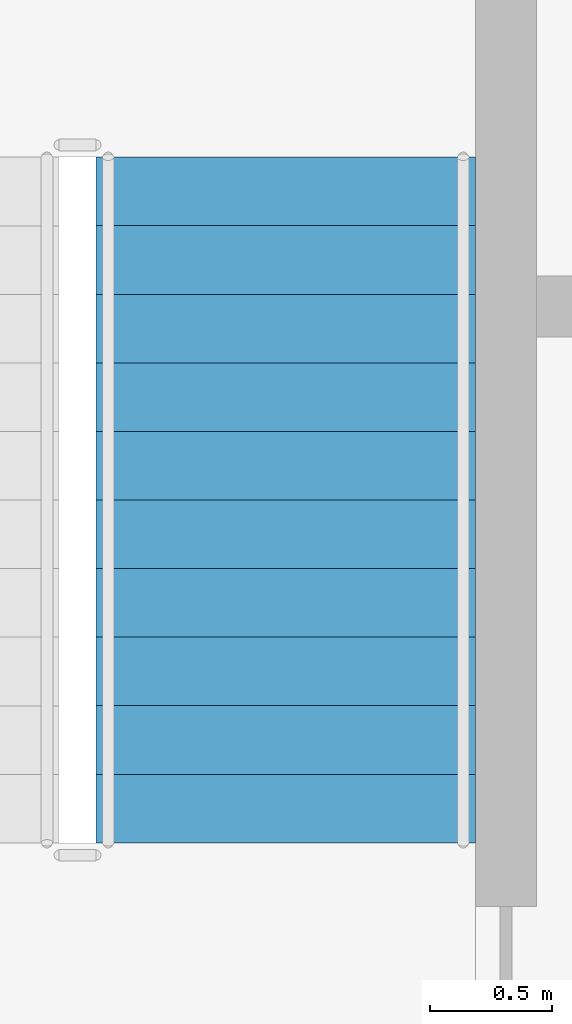
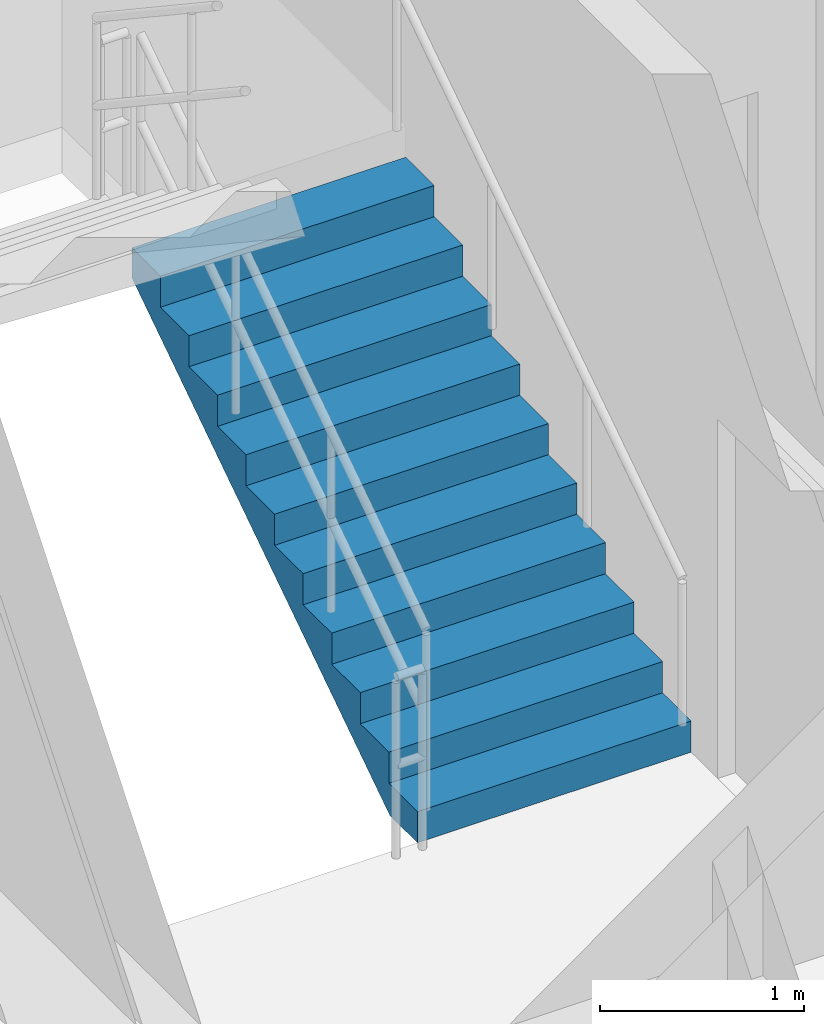
# One storey, part 35 of 39: 1 stair flight, 1 element without a shape of its own.
"""IFC4 building model written with IfcOpenShell, lengths in metres."""

from ifc_helpers import new_model, si_unit, direction, frame, origin, place, context, subcontext, project, spatial, polyline, outline, extrude, material, type_object, element, aggregate, save


model = new_model("IFC4")

# Units and contexts
model_context = context("Model", 3, precision=1e-05, world=origin(), true_north=direction((0.0, 1.0)))
body_context = subcontext(model_context, "Body", "Model", "MODEL_VIEW")
ifc_project = project(units=[si_unit("LENGTHUNIT", "METRE"), si_unit("AREAUNIT", "SQUARE_METRE"), si_unit("VOLUMEUNIT", "CUBIC_METRE"), si_unit("PLANEANGLEUNIT", "RADIAN"), si_unit("MASSUNIT", "GRAM", prefix="KILO")], contexts=[model_context])

# Site, building, storey
site_placement = place(None, origin())
site = spatial("IfcSite", under=ifc_project, at=site_placement, CompositionType="ELEMENT")
building_placement = place(site_placement, origin())
building = spatial("IfcBuilding", under=site, at=building_placement, Name="Nerrivon Quay Data Exchange", CompositionType="ELEMENT")
storey_placement = place(building_placement, frame((0.0, 0.0, 92.60009765625)))
storey = spatial("IfcBuildingStorey", under=building, at=storey_placement, Name="L21", CompositionType="ELEMENT", Elevation=92.60009765625)

# Stair, stair flight
ifc_material = material(Name="Concrete N50 (50 MPa)", Category="concrete")
stair_type = type_object("IfcStairType", Name="STAIR-DOG-41", PredefinedType="HALF_TURN_STAIR", material=ifc_material)
stair_placement = place(storey_placement, origin())
stair = element("IfcStair", 1, at=stair_placement, inside=storey, type_object=stair_type, Name="L21 West Core Fire Stair ST01", PredefinedType="HALF_TURN_STAIR")
stair_flight_type = type_object("IfcStairFlightType", Name="FLIGHT-DOG-41", PredefinedType="STRAIGHT", material=ifc_material)
stair_flight_placement = place(storey_placement, frame((11.425048828125, 31.330078125, 0.0), z_axis=(0.0, 0.0, 1.0), x_axis=(0.0, 1.0, 0.0)))
stair_flight = element("IfcStairFlight", 2, at=stair_flight_placement, type_object=stair_flight_type, Name="ST01 flight 1", NumberOfRisers=11, NumberOfTreads=10, PredefinedType="STRAIGHT", RiserHeight=0.186363636, TreadLength=0.28, context=body_context, shape_type="SweptSolid", body=[
    extrude(outline(polyline([(0.0, 0.0), (0.0, 0.186279296875), (0.280029296875, 0.186279296875), (0.280029296875, 0.372802734375), (0.56005859375, 0.372802734375), (0.56005859375, 0.55908203125), (0.840087890625, 0.55908203125), (0.840087890625, 0.745361328125), (1.1201171875, 0.745361328125), (1.1201171875, 0.931884765625), (1.39990234375, 0.931884765625), (1.39990234375, 1.1181640625), (1.679931640625, 1.1181640625), (1.679931640625, 1.304443359375), (1.9599609375, 1.304443359375), (1.9599609375, 1.490966796875), (2.239990234375, 1.490966796875), (2.239990234375, 1.67724609375), (2.52001953125, 1.67724609375), (2.52001953125, 1.863525390625), (2.800048828125, 1.863525390625), (2.800048828125, 2.050048828125), (2.800048828125, 1.68359375), (0.2705078125, 0.0), (0.0, 0.0)])), frame((0.0, 0.77490234375, 0.0), z_axis=(0.0, -1.0, 0.0), x_axis=(1.0, 0.0, 0.0)), (0.0, 0.0, 1.0), 1.550048828125),
])
aggregate(stair, [stair_flight])

save(model, "model.ifc")
